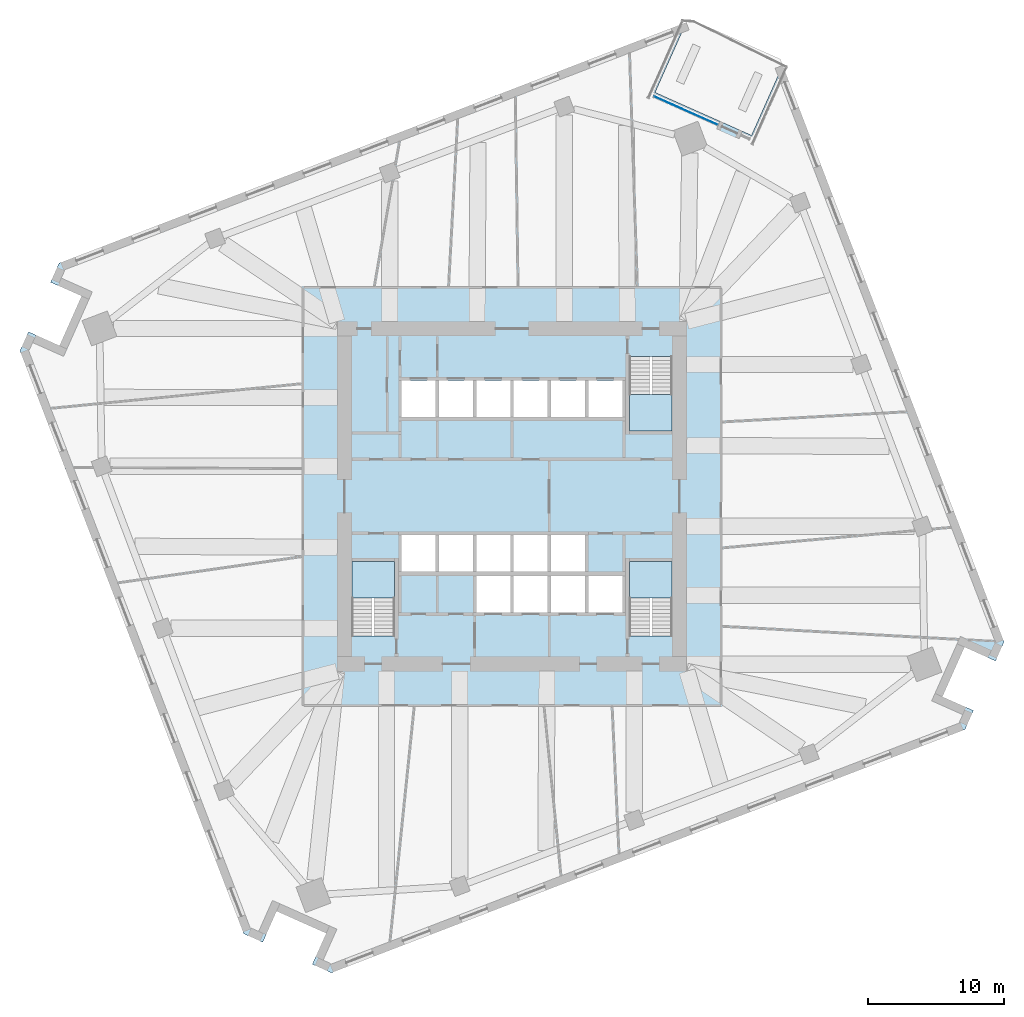
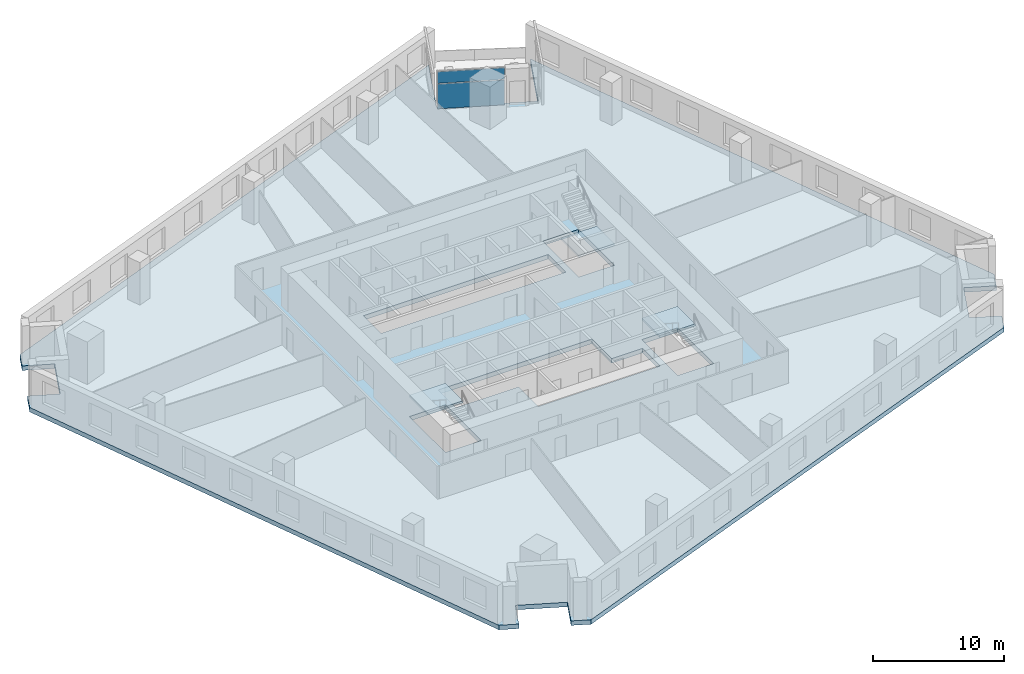
# One storey, part 5 of 14: 4 slabs, 2 plates, 4 elements without a shape of their own.
"""IFC4 building model written with IfcOpenShell, lengths in metres."""

from ifc_helpers import new_model, si_unit, direction, frame, origin, origin_2d, place, context, subcontext, project, spatial, polyline, rectangle, outline, extrude, material, layer, layer_set, type_object, element, aggregate, save


model = new_model("IFC4")

# Units and contexts
model_context = context("Model", 3, precision=1e-05, world=origin(), true_north=direction((0.0, 1.0)))
body_context = subcontext(model_context, "Body", "Model", "MODEL_VIEW")
ifc_project = project(units=[si_unit("LENGTHUNIT", "METRE"), si_unit("AREAUNIT", "SQUARE_METRE"), si_unit("VOLUMEUNIT", "CUBIC_METRE"), si_unit("PLANEANGLEUNIT", "RADIAN"), si_unit("MASSUNIT", "GRAM", prefix="KILO")], contexts=[model_context])

# Site, building, storey
site_placement = place(None, origin())
site = spatial("IfcSite", under=ifc_project, at=site_placement, CompositionType="ELEMENT")
building_placement = place(site_placement, origin())
building = spatial("IfcBuilding", under=site, at=building_placement, Name="Dilmun Exchange Tower", CompositionType="ELEMENT")
storey_placement = place(building_placement, frame((0.0, 0.0, 106.10009765625)))
storey = spatial("IfcBuildingStorey", under=building, at=storey_placement, Name="L24", CompositionType="ELEMENT", Elevation=106.10009765625)

# Stair, slab
ifc_material_1 = material(Name="Concrete C40/50", Category="concrete")
stair_type = type_object("IfcStairType", Name="Exit stair 1500 half-turn", PredefinedType="HALF_TURN_STAIR", material=ifc_material_1)
stair_1_placement = place(storey_placement, origin())
stair_1 = element("IfcStair", 1, at=stair_1_placement, inside=storey, type_object=stair_type, Name="L24 Protected exit stair ST1", PredefinedType="HALF_TURN_STAIR")
ifc_layer_1 = layer(ifc_material_1, 0.199951171875)
ifc_layer_set_1 = layer_set([ifc_layer_1], Name="Concrete C40/50")
slab_type_1 = type_object("IfcSlabType", Name="Exit stair landing 200", PredefinedType="LANDING", material=ifc_layer_set_1)
slab_1_placement = place(storey_placement, frame((0.0, 0.0, 1.7998046875)))
slab_1 = element("IfcSlab", 2, at=slab_1_placement, type_object=slab_type_1, Name="ST1 landing 1", PredefinedType="LANDING", context=body_context, shape_type="SweptSolid", body=[
    extrude(outline(polyline([(8.64990234375, 7.5), (8.64990234375, 4.800048828125), (11.800048828125, 4.800048828125), (11.800048828125, 7.5), (8.64990234375, 7.5)])), origin(), (0.0, 0.0, 1.0), 0.2001953125),
])
aggregate(stair_1, [slab_1])

stair_2_placement = place(storey_placement, origin())
stair_2 = element("IfcStair", 3, at=stair_2_placement, inside=storey, type_object=stair_type, Name="L24 Protected exit stair ST2", PredefinedType="HALF_TURN_STAIR")
slab_2_placement = place(storey_placement, frame((0.0, 0.0, 1.7998046875)))
slab_2 = element("IfcSlab", 4, at=slab_2_placement, type_object=slab_type_1, Name="ST2 landing 1", PredefinedType="LANDING", context=body_context, shape_type="SweptSolid", body=[
    extrude(outline(polyline([(-8.64990234375, -7.5), (-8.64990234375, -4.800048828125), (-11.800048828125, -4.800048828125), (-11.800048828125, -7.5), (-8.64990234375, -7.5)])), origin(), (0.0, 0.0, 1.0), 0.2001953125),
])
aggregate(stair_2, [slab_2])

stair_3_placement = place(storey_placement, origin())
stair_3 = element("IfcStair", 5, at=stair_3_placement, inside=storey, type_object=stair_type, Name="L24 Protected exit stair ST3", PredefinedType="HALF_TURN_STAIR")
slab_3_placement = place(storey_placement, frame((0.0, 0.0, 1.7998046875)))
slab_3 = element("IfcSlab", 6, at=slab_3_placement, type_object=slab_type_1, Name="ST3 landing 1", PredefinedType="LANDING", context=body_context, shape_type="SweptSolid", body=[
    extrude(outline(polyline([(11.800048828125, -7.5), (11.800048828125, -4.800048828125), (8.64990234375, -4.800048828125), (8.64990234375, -7.5), (11.800048828125, -7.5)])), origin(), (0.0, 0.0, 1.0), 0.2001953125),
])
aggregate(stair_3, [slab_3])

# Curtain wall, plates
ifc_material_2 = material(Name="Anodised aluminium and clear glass", Category="aluminium")
curtain_wall_type = type_object("IfcCurtainWallType", Name="Garden corner glazing", PredefinedType="NOTDEFINED", material=ifc_material_2)
curtain_wall_placement = place(storey_placement, origin())
curtain_wall = element("IfcCurtainWall", 7, at=curtain_wall_placement, inside=storey, type_object=curtain_wall_type, Name="Garden corner glazing run GC2.3", PredefinedType="NOTDEFINED")
ifc_material_3 = material(Name="Clear glass", Category="glass")
ifc_layer_2 = layer(ifc_material_3, 0.028076171875)
ifc_layer_set_2 = layer_set([ifc_layer_2], Name="Clear glass")
plate_type = type_object("IfcPlateType", Name="Garden corner glazing glass panel 28", PredefinedType="CURTAIN_PANEL", material=ifc_layer_set_2)
plate_1_placement = place(storey_placement, frame((12.812744140625, 28.42236328125, 0.059814453125), z_axis=(0.0, 0.0, 1.0), x_axis=(-0.913546096719, 0.406735207683, 0.0)))
plate_1 = element("IfcPlate", 8, at=plate_1_placement, type_object=plate_type, Name="GC2.3 panel 1.1", PredefinedType="CURTAIN_PANEL", context=body_context, shape_type="SweptSolid", body=[
    extrude(rectangle(XDim=5.119140625, YDim=0.028076171875, at=origin_2d()), origin(), (0.0, 0.0, 1.0), 2.31005859375),
])
plate_2_placement = place(storey_placement, frame((12.812744140625, 28.42236328125, 2.4296875), z_axis=(0.0, 0.0, 1.0), x_axis=(-0.913546096719, 0.406735207683, 0.0)))
plate_2 = element("IfcPlate", 9, at=plate_2_placement, type_object=plate_type, Name="GC2.3 panel 1.2", PredefinedType="CURTAIN_PANEL", context=body_context, shape_type="SweptSolid", body=[
    extrude(rectangle(XDim=5.119140625, YDim=0.028076171875, at=origin_2d()), origin(), (0.0, 0.0, 1.0), 1.090087890625),
])
aggregate(curtain_wall, [plate_1, plate_2])

# Slab
ifc_layer_3 = layer(ifc_material_1, 0.419921875)
ifc_layer_set_3 = layer_set([ifc_layer_3], Name="Concrete C40/50")
slab_type_2 = type_object("IfcSlabType", Name="RC floor slab 420", PredefinedType="FLOOR", material=ifc_layer_set_3)
slab_4_placement = place(storey_placement, frame((0.0, 0.0, -0.420166015625)))
element("IfcSlab", 10, at=slab_4_placement, inside=storey, type_object=slab_type_2, Name="Floor slab", PredefinedType="FLOOR", context=body_context, shape_type="SweptSolid", body=[
    extrude(outline(polyline([(35.625244140625, -12.1240234375), (33.341552734375, -11.107177734375), (31.714599609375, -14.761474609375), (33.998291015625, -15.7783203125), (33.373779296875, -17.18115234375), (-13.30517578125, -35.099609375), (-14.7080078125, -34.474853515625), (-13.691162109375, -32.19091796875), (-17.34521484375, -30.564208984375), (-18.3623046875, -32.847900390625), (-19.764892578125, -32.223388671875), (-36.25, 10.72119140625), (-35.625244140625, 12.1240234375), (-33.341552734375, 11.107177734375), (-31.714599609375, 14.761474609375), (-33.998291015625, 15.7783203125), (-33.373779296875, 17.18115234375), (12.83837890625, 34.92041015625), (10.541748046875, 29.761962890625), (17.6474609375, 26.598388671875), (19.944091796875, 31.756591796875), (36.25, -10.72119140625), (35.625244140625, -12.1240234375)]), holes=[polyline([(-8.64990234375, -4.800048828125), (-11.800048828125, -4.800048828125), (-11.800048828125, -10.294921875), (-8.64990234375, -10.294921875), (-8.64990234375, -4.800048828125)]), polyline([(11.800048828125, -4.800048828125), (8.64990234375, -4.800048828125), (8.64990234375, -10.294921875), (11.800048828125, -10.294921875), (11.800048828125, -4.800048828125)]), polyline([(-8.125, -2.85009765625), (-8.125, -5.550048828125), (-2.625, -5.550048828125), (-2.625, -8.550048828125), (8.125, -8.550048828125), (8.125, -5.85009765625), (5.375, -5.85009765625), (5.375, -2.85009765625), (-8.125, -2.85009765625)]), polyline([(-8.125, 5.85009765625), (8.125, 5.85009765625), (8.125, 8.550048828125), (-8.125, 8.550048828125), (-8.125, 5.85009765625)]), polyline([(8.64990234375, 10.294921875), (8.64990234375, 4.800048828125), (11.800048828125, 4.800048828125), (11.800048828125, 10.294921875), (8.64990234375, 10.294921875)])]), origin(), (0.0, 0.0, 1.0), 0.420166015625),
])

save(model, "model.ifc")
